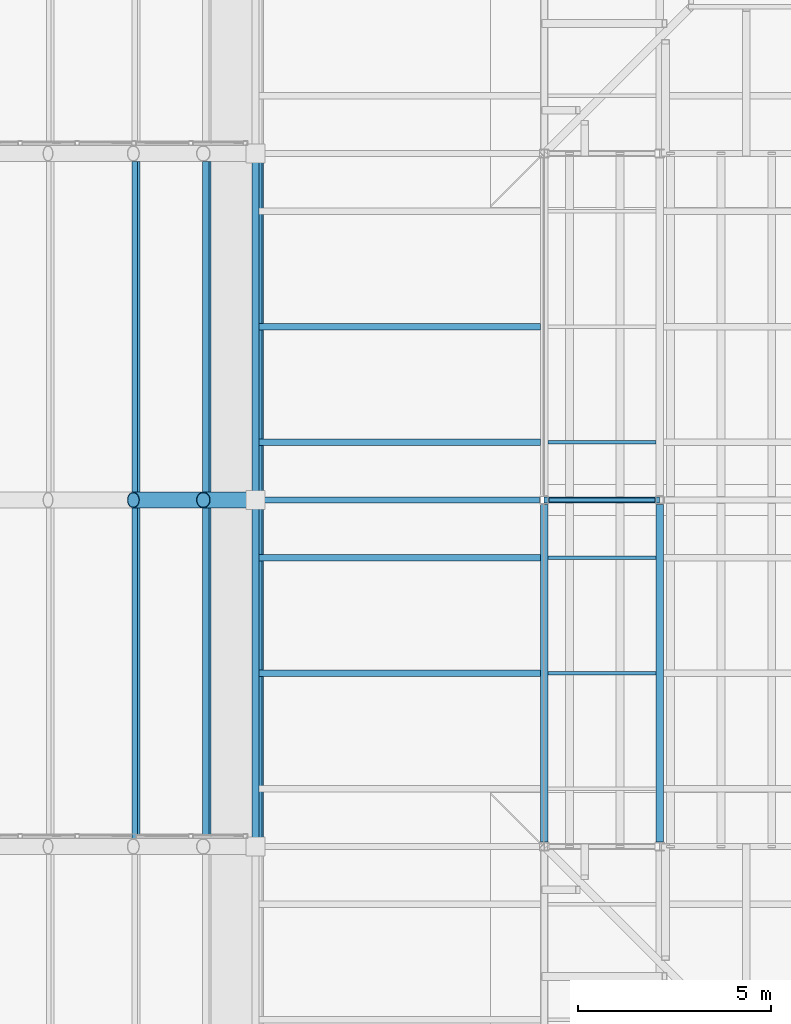
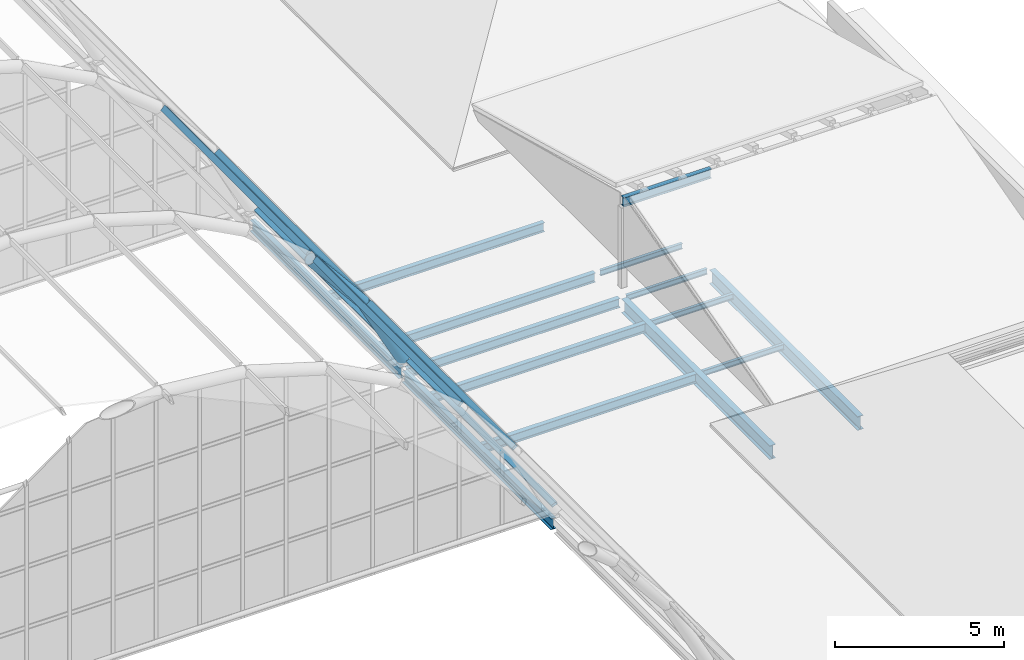
# One storey, part 44 of 121: 14 beams, 8 members.
"""IFC4 building model written with IfcOpenShell, lengths in metres."""

from ifc_helpers import new_model, si_unit, direction, frame, origin, origin_2d, place, context, subcontext, project, spatial, hollow_rectangle, hollow_circle, i_section, extrude, material, material_profile, profile_set, type_object, element, save


model = new_model("IFC4")

# Units and contexts
model_context = context("Model", 3, precision=1e-05, world=origin(), true_north=direction((0.0, 1.0)))
body_context = subcontext(model_context, "Body", "Model", "MODEL_VIEW")
ifc_project = project(units=[si_unit("LENGTHUNIT", "METRE"), si_unit("AREAUNIT", "SQUARE_METRE"), si_unit("VOLUMEUNIT", "CUBIC_METRE"), si_unit("PLANEANGLEUNIT", "RADIAN"), si_unit("MASSUNIT", "GRAM", prefix="KILO")], contexts=[model_context])

# Site, building, storey
site_placement = place(None, origin())
site = spatial("IfcSite", under=ifc_project, at=site_placement, CompositionType="ELEMENT")
building_placement = place(site_placement, origin())
building = spatial("IfcBuilding", under=site, at=building_placement, Name="Golden Quay Civic Hall", CompositionType="ELEMENT")
storey_placement = place(building_placement, frame((0.0, 0.0, 18.60009765625)))
storey = spatial("IfcBuildingStorey", under=building, at=storey_placement, Name="L04", CompositionType="ELEMENT", Elevation=18.60009765625)

# Members
ifc_material_1 = material(Name="Steel S355", Category="steel")
ifc_material_profile_1 = material_profile(ifc_material_1, hollow_circle(Radius=0.203125, WallThickness=0.01611328125, at=origin_2d()), Name="CHS 406.4x16")
ifc_profile_set_1 = profile_set([ifc_material_profile_1], Name="Steel S355")
member_type_1 = type_object("IfcMemberType", Name="Steel arch rib CHS 406.4x16", PredefinedType="USERDEFINED", material=ifc_profile_set_1)
for number, where, z_axis, x_axis, name in (
    (1, (95.826904296875, 27.0, 4.830810546875), (0.635608575128, 0.0, -0.772011489049), (0.0, 1.0, 0.0), "Arch rib 4 segment 11"),
    (2, (97.64599609375, 27.0, 2.621337890625), (0.473092307375, 0.0, -0.881012865231), (0.0, 1.0, 0.0), "Arch rib 4 segment 12"),
):
    element("IfcMember", number, at=place(storey_placement, frame(where, z_axis=z_axis, x_axis=x_axis)), inside=storey, type_object=member_type_1, Name=name, ObjectType="ARCH RIB", PredefinedType="USERDEFINED", context=body_context, shape_type="SweptSolid", body=[
        extrude(hollow_circle(Radius=0.203125, WallThickness=0.01611328125, at=origin_2d()), origin(), (0.0, 0.0, 1.0), 2.862060546875),
    ])

# Beams
ifc_material_2 = material(Name="Steel S355", Category="steel")
ifc_material_profile_2 = material_profile(ifc_material_2, i_section(OverallWidth=0.10009765625, OverallDepth=0.199951171875, WebThickness=0.005615234375, FlangeThickness=0.008544921875, FilletRadius=0.011962890625, at=origin_2d()), Name="IPE 200")
ifc_profile_set_2 = profile_set([ifc_material_profile_2], Name="Steel S355")
beam_type_1 = type_object("IfcBeamType", Name="Steel beam IPE 200", PredefinedType="BEAM", material=ifc_profile_set_2)
beam_1_placement = place(storey_placement, frame((106.6201171875, 27.0, -0.35009765625), z_axis=(1.0, 0.0, 0.0), x_axis=(0.0, 1.0, 0.0)))
element("IfcBeam", 3, at=beam_1_placement, inside=storey, type_object=beam_type_1, Name="Beam S27-106.5", PredefinedType="BEAM", context=body_context, shape_type="SweptSolid", body=[
    extrude(i_section(OverallWidth=0.10009765625, OverallDepth=0.199951171875, WebThickness=0.005615234375, FlangeThickness=0.008544921875, FilletRadius=0.011962890625, at=origin_2d()), origin(), (0.0, 0.0, 1.0), 2.759765625),
])
ifc_material_3 = material(Name="Steel S355", Category="steel")
ifc_material_profile_3 = material_profile(ifc_material_3, i_section(OverallWidth=0.159912109375, OverallDepth=0.330078125, WebThickness=0.007568359375, FlangeThickness=0.011474609375, FilletRadius=0.01806640625, at=origin_2d()), Name="IPE 330")
ifc_profile_set_3 = profile_set([ifc_material_profile_3], Name="Steel S355")
beam_type_2 = type_object("IfcBeamType", Name="Steel beam IPE 330", PredefinedType="BEAM", material=ifc_profile_set_3)
beam_2_placement = place(storey_placement, frame((99.10009765625, 27.0, -0.4150390625), z_axis=(1.0, 0.0, 0.0), x_axis=(0.0, 1.0, 0.0)))
element("IfcBeam", 4, at=beam_2_placement, inside=storey, type_object=beam_type_2, Name="Beam S27-99", PredefinedType="BEAM", context=body_context, shape_type="SweptSolid", body=[
    extrude(i_section(OverallWidth=0.159912109375, OverallDepth=0.330078125, WebThickness=0.007568359375, FlangeThickness=0.011474609375, FilletRadius=0.01806640625, at=origin_2d()), origin(), (0.0, 0.0, 1.0), 7.27978515625),
])
ifc_material_4 = material(Name="Steel S355", Category="steel")
ifc_material_profile_4 = material_profile(ifc_material_4, i_section(OverallWidth=0.179931640625, OverallDepth=0.39990234375, WebThickness=0.008544921875, FlangeThickness=0.013427734375, FilletRadius=0.02099609375, at=origin_2d()), Name="IPE 400")
ifc_profile_set_4 = profile_set([ifc_material_profile_4], Name="Steel S355")
beam_type_3 = type_object("IfcBeamType", Name="Steel beam IPE 400", PredefinedType="BEAM", material=ifc_profile_set_4)
for number, where, z_axis, x_axis, name in (
    (5, (99.0, 18.094970703125, -0.4501953125), (0.0, 1.0, 0.0), (-1.0, 0.0, 0.0), "Beam L99-18"),
    (6, (99.0, 27.094970703125, -0.4501953125), (0.0, 1.0, 0.0), (-1.0, 0.0, 0.0), "Beam L99-27"),
):
    element("IfcBeam", number, at=place(storey_placement, frame(where, z_axis=z_axis, x_axis=x_axis)), inside=storey, type_object=beam_type_3, Name=name, PredefinedType="BEAM", context=body_context, shape_type="SweptSolid", body=[
        extrude(i_section(OverallWidth=0.179931640625, OverallDepth=0.39990234375, WebThickness=0.008544921875, FlangeThickness=0.013427734375, FilletRadius=0.02099609375, at=origin_2d()), origin(), (0.0, 0.0, 1.0), 8.81005859375),
    ])
ifc_material_5 = material(Name="Steel S355", Category="steel")
ifc_material_profile_5 = material_profile(ifc_material_5, i_section(OverallWidth=0.199951171875, OverallDepth=0.5, WebThickness=0.01025390625, FlangeThickness=0.01611328125, FilletRadius=0.02099609375, at=origin_2d()), Name="IPE 500")
ifc_profile_set_5 = profile_set([ifc_material_profile_5], Name="Steel S355")
beam_type_4 = type_object("IfcBeamType", Name="Steel beam IPE 500", PredefinedType="BEAM", material=ifc_profile_set_5)
for number, where, z_axis, x_axis, name in (
    (7, (106.5, 18.114990234375, -0.5), (0.0, 1.0, 0.0), (-1.0, 0.0, 0.0), "Beam L106.5-18"),
    (8, (109.5, 18.114990234375, -0.5), (0.0, 1.0, 0.0), (-1.0, 0.0, 0.0), "Beam L109.5-18"),
):
    element("IfcBeam", number, at=place(storey_placement, frame(where, z_axis=z_axis, x_axis=x_axis)), inside=storey, type_object=beam_type_4, Name=name, PredefinedType="BEAM", context=body_context, shape_type="SweptSolid", body=[
        extrude(i_section(OverallWidth=0.199951171875, OverallDepth=0.5, WebThickness=0.01025390625, FlangeThickness=0.01611328125, FilletRadius=0.02099609375, at=origin_2d()), origin(), (0.0, 0.0, 1.0), 8.77001953125),
    ])
ifc_material_6 = material(Name="Steel S355", Category="steel")
ifc_material_profile_6 = material_profile(ifc_material_6, i_section(OverallWidth=0.10009765625, OverallDepth=0.199951171875, WebThickness=0.005615234375, FlangeThickness=0.008544921875, FilletRadius=0.011962890625, at=origin_2d()), Name="IPE 200")
ifc_profile_set_6 = profile_set([ifc_material_profile_6], Name="Steel S355")
beam_type_5 = type_object("IfcBeamType", Name="Steel joist IPE 200", PredefinedType="JOIST", material=ifc_profile_set_6)
for number, where, z_axis, x_axis, name in (
    (9, (106.60009765625, 22.5, -0.35009765625), (1.0, 0.0, 0.0), (0.0, 1.0, 0.0), "Joist J22.5-106.5"),
    (10, (106.60009765625, 25.5, -0.35009765625), (1.0, 0.0, 0.0), (0.0, 1.0, 0.0), "Joist J25.5-106.5"),
    (11, (106.60009765625, 28.5, -0.35009765625), (1.0, 0.0, 0.0), (0.0, 1.0, 0.0), "Joist J28.5-106.5"),
):
    element("IfcBeam", number, at=place(storey_placement, frame(where, z_axis=z_axis, x_axis=x_axis)), inside=storey, type_object=beam_type_5, Name=name, PredefinedType="JOIST", context=body_context, shape_type="SweptSolid", body=[
        extrude(i_section(OverallWidth=0.10009765625, OverallDepth=0.199951171875, WebThickness=0.005615234375, FlangeThickness=0.008544921875, FilletRadius=0.011962890625, at=origin_2d()), origin(), (0.0, 0.0, 1.0), 2.7998046875),
    ])
ifc_material_7 = material(Name="Steel S355", Category="steel")
ifc_material_profile_7 = material_profile(ifc_material_7, i_section(OverallWidth=0.159912109375, OverallDepth=0.330078125, WebThickness=0.007568359375, FlangeThickness=0.011474609375, FilletRadius=0.01806640625, at=origin_2d()), Name="IPE 330")
ifc_profile_set_7 = profile_set([ifc_material_profile_7], Name="Steel S355")
beam_type_6 = type_object("IfcBeamType", Name="Steel joist IPE 330", PredefinedType="JOIST", material=ifc_profile_set_7)
for number, where, z_axis, x_axis, name in (
    (12, (99.090087890625, 22.5, -0.4150390625), (1.0, 0.0, 0.0), (0.0, 1.0, 0.0), "Joist J22.5-99"),
    (13, (99.090087890625, 25.5, -0.4150390625), (1.0, 0.0, 0.0), (0.0, 1.0, 0.0), "Joist J25.5-99"),
    (14, (99.090087890625, 28.5, -0.4150390625), (1.0, 0.0, 0.0), (0.0, 1.0, 0.0), "Joist J28.5-99"),
    (15, (99.090087890625, 31.5, -0.4150390625), (1.0, 0.0, 0.0), (0.0, 1.0, 0.0), "Joist J31.5-99"),
):
    element("IfcBeam", number, at=place(storey_placement, frame(where, z_axis=z_axis, x_axis=x_axis)), inside=storey, type_object=beam_type_6, Name=name, PredefinedType="JOIST", context=body_context, shape_type="SweptSolid", body=[
        extrude(i_section(OverallWidth=0.159912109375, OverallDepth=0.330078125, WebThickness=0.007568359375, FlangeThickness=0.011474609375, FilletRadius=0.01806640625, at=origin_2d()), origin(), (0.0, 0.0, 1.0), 7.309814453125),
    ])

# Members
ifc_material_8 = material(Name="Steel S355", Category="steel")
ifc_material_profile_8 = material_profile(ifc_material_8, hollow_rectangle(XDim=0.10009765625, YDim=0.199951171875, WallThickness=0.008056640625, at=origin_2d()), Name="RHS 200x100x8")
ifc_profile_set_8 = profile_set([ifc_material_profile_8], Name="Steel S355")
member_type_2 = type_object("IfcMemberType", Name="Steel purlin RHS 200x100x8", PredefinedType="PURLIN", material=ifc_profile_set_8)
for number, where, z_axis, x_axis, name in (
    (16, (95.89990234375, 18.203125, 4.90380859375), (0.0, 1.0, 0.0), (-0.708092289314, 0.0, 0.70611989762), "Purlin 3.11"),
    (17, (97.731689453125, 18.203125, 2.6787109375), (0.0, 1.0, 0.0), (-0.557018943033, 0.0, 0.830499787539), "Purlin 3.12"),
    (18, (99.09521484375, 18.203125, 0.1396484375), (0.0, 1.0, 0.0), (-0.384615384615, 0.0, 0.923076923077), "Purlin 3.13"),
    (19, (95.89990234375, 27.203125, 4.90380859375), (0.0, 1.0, 0.0), (-0.708092289314, 0.0, 0.70611989762), "Purlin 4.11"),
    (20, (97.731689453125, 27.203125, 2.6787109375), (0.0, 1.0, 0.0), (-0.557018943033, 0.0, 0.830499787539), "Purlin 4.12"),
    (21, (99.09521484375, 27.203125, 0.1396484375), (0.0, 1.0, 0.0), (-0.384615384615, 0.0, 0.923076923077), "Purlin 4.13"),
):
    element("IfcMember", number, at=place(storey_placement, frame(where, z_axis=z_axis, x_axis=x_axis)), inside=storey, type_object=member_type_2, Name=name, PredefinedType="PURLIN", context=body_context, shape_type="SweptSolid", body=[
        extrude(hollow_rectangle(XDim=0.10009765625, YDim=0.199951171875, WallThickness=0.008056640625, at=origin_2d()), origin(), (0.0, 0.0, 1.0), 8.59375),
    ])

# Beam
ifc_material_9 = material(Name="Steel S355", Category="steel")
ifc_material_profile_9 = material_profile(ifc_material_9, i_section(OverallWidth=0.159912109375, OverallDepth=0.330078125, WebThickness=0.007568359375, FlangeThickness=0.011474609375, FilletRadius=0.01806640625, at=origin_2d()), Name="IPE 330")
ifc_profile_set_9 = profile_set([ifc_material_profile_9], Name="Steel S355")
beam_type_7 = type_object("IfcBeamType", Name="Steel roof ridge beam IPE 330", PredefinedType="BEAM", material=ifc_profile_set_9)
beam_3_placement = place(storey_placement, frame((106.5, 27.0, 3.164794921875), z_axis=(1.0, 0.0, 0.0), x_axis=(0.0, 1.0, 0.0)))
element("IfcBeam", 22, at=beam_3_placement, inside=storey, type_object=beam_type_7, Name="Gable ridge beam 1", PredefinedType="BEAM", context=body_context, shape_type="SweptSolid", body=[
    extrude(i_section(OverallWidth=0.159912109375, OverallDepth=0.330078125, WebThickness=0.007568359375, FlangeThickness=0.011474609375, FilletRadius=0.01806640625, at=origin_2d()), origin(), (0.0, 0.0, 1.0), 3.0),
])

save(model, "model.ifc")
